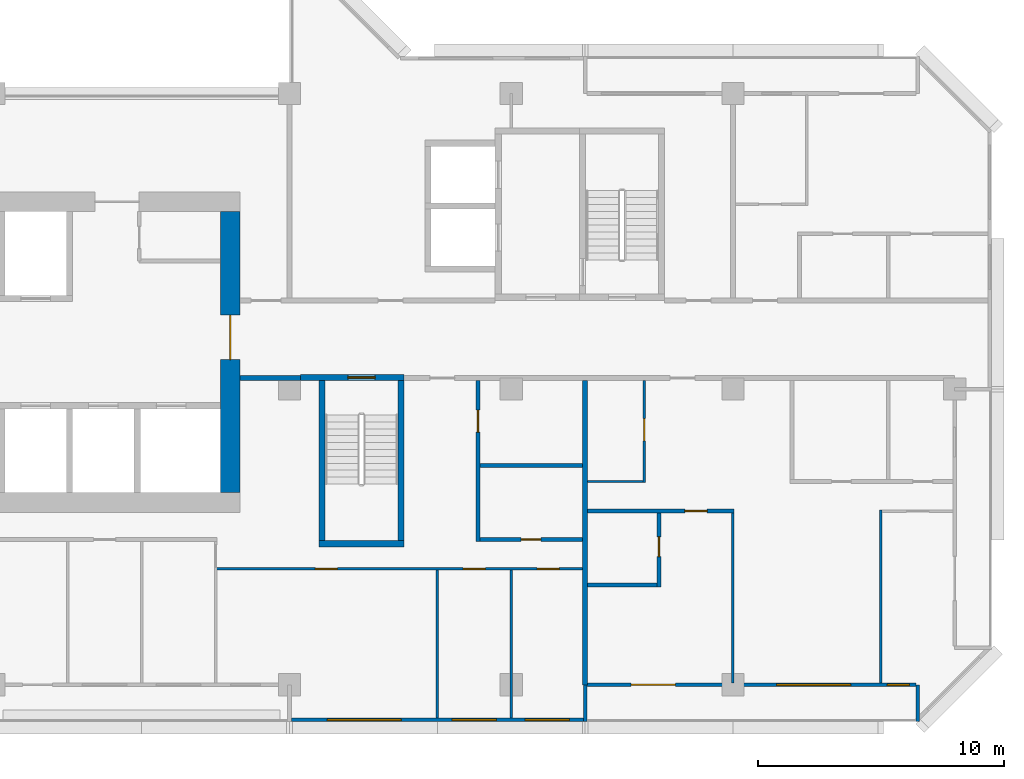
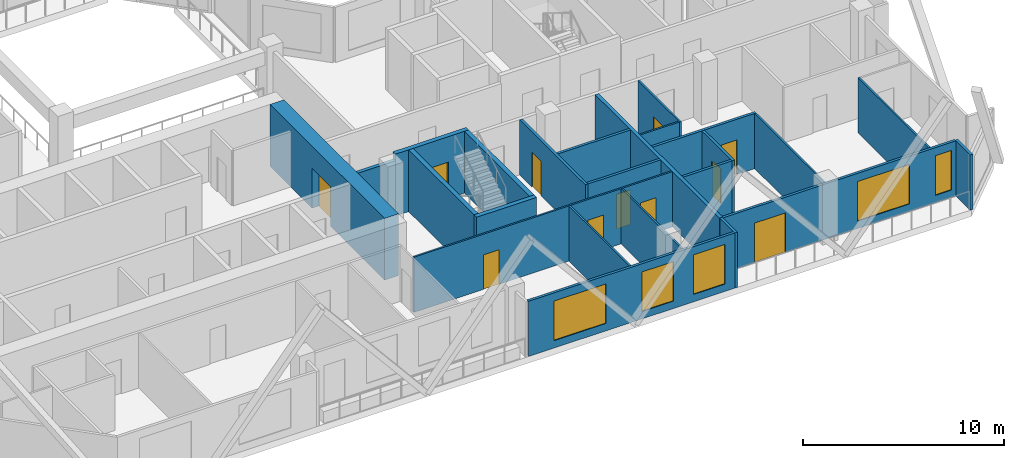
# One storey, part 6 of 15: 24 walls, 11 doors, 5 windows, 16 openings.
"""IFC4 building model written with IfcOpenShell, lengths in metres."""

from ifc_helpers import new_model, si_unit, direction, frame, frame_2d, origin, place, context, subcontext, project, spatial, rectangle, extrude, material, layer, layer_set, type_object, element, fill, save


model = new_model("IFC4")

# Units and contexts
model_context = context("Model", 3, precision=1e-05, world=origin(), true_north=direction((0.0, 1.0)))
body_context = subcontext(model_context, "Body", "Model", "MODEL_VIEW")
ifc_project = project(units=[si_unit("LENGTHUNIT", "METRE"), si_unit("AREAUNIT", "SQUARE_METRE"), si_unit("VOLUMEUNIT", "CUBIC_METRE"), si_unit("PLANEANGLEUNIT", "RADIAN"), si_unit("MASSUNIT", "GRAM", prefix="KILO")], contexts=[model_context])

# Site, building, storey
site_placement = place(None, origin())
site = spatial("IfcSite", under=ifc_project, at=site_placement, CompositionType="ELEMENT")
building_placement = place(site_placement, origin())
building = spatial("IfcBuilding", under=site, at=building_placement, Name="Chenar Terraces", CompositionType="ELEMENT")
storey_placement = place(building_placement, frame((0.0, 0.0, 187.39990234375)))
storey = spatial("IfcBuildingStorey", under=building, at=storey_placement, Name="L43", CompositionType="ELEMENT", Elevation=187.39990234375)

# Wall
ifc_material_1 = material(Name="Concrete C60/75", Category="concrete")
ifc_layer_1 = layer(ifc_material_1, 0.25)
ifc_layer_set_1 = layer_set([ifc_layer_1], Name="Concrete C60/75")
wall_type_1 = type_object("IfcWallType", Name="Core wall 250 Concrete C60/75", PredefinedType="SHEAR", material=ifc_layer_set_1)
wall_1_placement = place(storey_placement, frame((37.199951171875, 5.72509765625, 0.0), z_axis=(0.0, 0.0, 1.0), x_axis=(1.0, 0.0, 0.0)))
element("IfcWall", 1, at=wall_1_placement, inside=storey, type_object=wall_type_1, Name="Core wall ST2_S L43", PredefinedType="SHEAR", context=body_context, shape_type="SweptSolid", body=[
    extrude(rectangle(XDim=3.449951171875, YDim=0.25, at=frame_2d((1.72509765625, 0.0))), origin(), (0.0, 0.0, 1.0), 3.75),
])

# Wall, opening, door
wall_2_placement = place(storey_placement, frame((36.449951171875, 12.47509765625, 0.0), z_axis=(0.0, 0.0, 1.0), x_axis=(1.0, 0.0, 0.0)))
wall_2 = element("IfcWall", 2, at=wall_2_placement, inside=storey, type_object=wall_type_1, Name="Core wall ST2_N L43", PredefinedType="SHEAR", context=body_context, shape_type="SweptSolid", body=[
    extrude(rectangle(XDim=4.199951171875, YDim=0.25, at=frame_2d((2.10009765625, 0.0))), origin(), (0.0, 0.0, 1.0), 3.75),
])
opening_1_placement = place(wall_2_placement, frame((1.925048828125, 0.0, 0.0)))
opening_1 = element("IfcOpeningElement", 3, at=opening_1_placement, cuts=wall_2, Name="Opening DL43-C7", PredefinedType="OPENING", context=body_context, shape_type="SweptSolid", body=[
    extrude(rectangle(XDim=1.10009765625, YDim=2.199951171875, at=frame_2d((0.550048828125, 1.10009765625))), frame((0.0, 0.135009765625, 0.0), z_axis=(0.0, -1.0, 0.0), x_axis=(1.0, 0.0, 0.0)), (0.0, 0.0, 1.0), 0.27001953125),
])
ifc_material_2 = material(Name="Steel-framed fire-resisting door leaf", Category="steel")
door_type_1 = type_object("IfcDoorType", Name="Stair fire door FD60 1100 x 2200", OperationType="SINGLE_SWING_LEFT", PredefinedType="DOOR", material=ifc_material_2)
door_1_placement = place(opening_1_placement, frame((1.10009765625, 0.0, 0.0), z_axis=(0.0, 0.0, 1.0), x_axis=(-1.0, 0.0, 0.0)))
door_1 = element("IfcDoor", 4, at=door_1_placement, inside=storey, type_object=door_type_1, Name="Stair door DL43-C7", OperationType="SINGLE_SWING_RIGHT", OverallHeight=2.199951171875, OverallWidth=1.10009765625, PredefinedType="DOOR", context=body_context, shape_type="SweptSolid", body=[
    extrude(rectangle(XDim=1.10009765625, YDim=2.199951171875, at=frame_2d((0.550048828125, 1.10009765625))), frame((0.0, 0.02490234375, 0.0), z_axis=(0.0, -1.0, 0.0), x_axis=(1.0, 0.0, 0.0)), (0.0, 0.0, 1.0), 0.050048828125),
])
fill(opening_1, door_1)

# Walls
for number, where, z_axis, x_axis, name in (
    (5, (37.324951171875, 5.85009765625, 0.0), (0.0, 0.0, 1.0), (0.0, 1.0, 0.0), "Core wall ST2_W L43"),
    (6, (40.52490234375, 5.85009765625, 0.0), (0.0, 0.0, 1.0), (0.0, 1.0, 0.0), "Core wall ST2_E L43"),
):
    element("IfcWall", number, at=place(storey_placement, frame(where, z_axis=z_axis, x_axis=x_axis)), inside=storey, type_object=wall_type_1, Name=name, PredefinedType="SHEAR", context=body_context, shape_type="SweptSolid", body=[
        extrude(rectangle(XDim=6.5, YDim=0.25, at=frame_2d((3.25, 0.0))), origin(), (0.0, 0.0, 1.0), 3.75),
    ])

# Wall, opening, door
ifc_material_3 = material(Name="Concrete C60/75", Category="concrete")
ifc_layer_2 = layer(ifc_material_3, 0.800048828125)
ifc_layer_set_2 = layer_set([ifc_layer_2], Name="Concrete C60/75")
wall_type_2 = type_object("IfcWallType", Name="Core wall 800 Concrete C60/75", PredefinedType="SHEAR", material=ifc_layer_set_2)
wall_3_placement = place(storey_placement, frame((33.60009765625, 7.800048828125, 0.0), z_axis=(0.0, 0.0, 1.0), x_axis=(0.0, 1.0, 0.0)))
wall_3 = element("IfcWall", 7, at=wall_3_placement, inside=storey, type_object=wall_type_2, Name="Core wall E L43", PredefinedType="SHEAR", context=body_context, shape_type="SweptSolid", body=[
    extrude(rectangle(XDim=11.39990234375, YDim=0.800048828125, at=frame_2d((5.699951171875, 0.0))), origin(), (0.0, 0.0, 1.0), 3.75),
])
opening_2_placement = place(wall_3_placement, frame((5.39990234375, 0.0, 0.0)))
opening_2 = element("IfcOpeningElement", 8, at=opening_2_placement, cuts=wall_3, Name="Opening DL43-C1", PredefinedType="OPENING", context=body_context, shape_type="SweptSolid", body=[
    extrude(rectangle(XDim=1.800048828125, YDim=2.39990234375, at=frame_2d((0.89990234375, 1.199951171875))), frame((0.0, 0.409912109375, 0.0), z_axis=(0.0, -1.0, 0.0), x_axis=(1.0, 0.0, 0.0)), (0.0, 0.0, 1.0), 0.820068359375),
])
ifc_material_4 = material(Name="Steel-framed fire-resisting door leaf", Category="steel")
door_type_2 = type_object("IfcDoorType", Name="Core entrance double fire door FD60 1800 x 2400", OperationType="DOUBLE_DOOR_SINGLE_SWING", PredefinedType="DOOR", material=ifc_material_4)
door_2_placement = place(opening_2_placement, origin())
door_2 = element("IfcDoor", 9, at=door_2_placement, inside=storey, type_object=door_type_2, Name="Core door DL43-C1", OperationType="DOUBLE_DOOR_SINGLE_SWING", OverallHeight=2.39990234375, OverallWidth=1.800048828125, PredefinedType="DOOR", context=body_context, shape_type="SweptSolid", body=[
    extrude(rectangle(XDim=1.800048828125, YDim=2.39990234375, at=frame_2d((0.89990234375, 1.199951171875))), frame((0.0, 0.02490234375, 0.0), z_axis=(0.0, -1.0, 0.0), x_axis=(1.0, 0.0, 0.0)), (0.0, 0.0, 1.0), 0.050048828125),
])
fill(opening_2, door_2)

# Wall
ifc_material_5 = material(Name="Gypsum board on steel studs with fire boards", Category="steel")
ifc_layer_3 = layer(ifc_material_5, 0.199951171875)
ifc_layer_set_3 = layer_set([ifc_layer_3], Name="Gypsum board on steel studs with fire boards")
wall_type_3 = type_object("IfcWallType", Name="Corridor wall 200", PredefinedType="PARTITIONING", material=ifc_layer_set_3)
wall_4_placement = place(storey_placement, frame((34.0, 12.449951171875, 0.0), z_axis=(0.0, 0.0, 1.0), x_axis=(1.0, 0.0, 0.0)))
element("IfcWall", 10, at=wall_4_placement, inside=storey, type_object=wall_type_3, Name="Partition L43-059", PredefinedType="PARTITIONING", context=body_context, shape_type="SweptSolid", body=[
    extrude(rectangle(XDim=2.450927734375, YDim=0.199951171875, at=frame_2d((1.2255859375, 0.0))), origin(), (0.0, 0.0, 1.0), 3.35009765625),
])

# Wall, openings, windows
ifc_material_6 = material(Name="Aluminium framed glazing", Category="aluminium")
ifc_layer_4 = layer(ifc_material_6, 0.14990234375)
ifc_layer_set_4 = layer_set([ifc_layer_4], Name="Aluminium framed glazing")
wall_type_4 = type_object("IfcWallType", Name="Glazed flush facade wall 150", PredefinedType="SOLIDWALL", material=ifc_layer_set_4)
wall_5_placement = place(storey_placement, frame((36.074951171875, -1.425048828125, 0.0), z_axis=(0.0, 0.0, 1.0), x_axis=(1.0, 0.0, 0.0)))
wall_5 = element("IfcWall", 11, at=wall_5_placement, inside=storey, type_object=wall_type_4, Name="Glazed flush facade wall", PredefinedType="SOLIDWALL", context=body_context, shape_type="SweptSolid", body=[
    extrude(rectangle(XDim=11.85009765625, YDim=0.14990234375, at=frame_2d((5.925048828125, 0.0))), origin(), (0.0, 0.0, 1.0), 3.35009765625),
])
opening_3_placement = place(wall_5_placement, frame((1.46240234375, 0.0, 0.449951171875)))
opening_3 = element("IfcOpeningElement", 12, at=opening_3_placement, cuts=wall_5, Name="Opening W300x240", PredefinedType="OPENING", context=body_context, shape_type="SweptSolid", body=[
    extrude(rectangle(XDim=3.0, YDim=2.39990234375, at=frame_2d((1.5, 1.199951171875))), frame((0.0, 0.0849609375, 0.0), z_axis=(0.0, -1.0, 0.0), x_axis=(1.0, 0.0, 0.0)), (0.0, 0.0, 1.0), 0.169921875),
])
opening_4_placement = place(wall_5_placement, frame((6.52490234375, 0.0, 0.449951171875)))
opening_4 = element("IfcOpeningElement", 13, at=opening_4_placement, cuts=wall_5, Name="Opening W180x240", PredefinedType="OPENING", context=body_context, shape_type="SweptSolid", body=[
    extrude(rectangle(XDim=1.800048828125, YDim=2.39990234375, at=frame_2d((0.89990234375, 1.199951171875))), frame((0.0, 0.0849609375, 0.0), z_axis=(0.0, -1.0, 0.0), x_axis=(1.0, 0.0, 0.0)), (0.0, 0.0, 1.0), 0.169921875),
])
opening_5_placement = place(wall_5_placement, frame((9.487548828125, 0.0, 0.449951171875)))
opening_5 = element("IfcOpeningElement", 14, at=opening_5_placement, cuts=wall_5, Name="Opening W180x240", PredefinedType="OPENING", context=body_context, shape_type="SweptSolid", body=[
    extrude(rectangle(XDim=1.800048828125, YDim=2.39990234375, at=frame_2d((0.89990234375, 1.199951171875))), frame((0.0, 0.0849609375, 0.0), z_axis=(0.0, -1.0, 0.0), x_axis=(1.0, 0.0, 0.0)), (0.0, 0.0, 1.0), 0.169921875),
])
ifc_material_7 = material(Name="Low emissivity double glazing, aluminium frame", Category="aluminium")
window_type_1 = type_object("IfcWindowType", Name="Fixed light 1800 x 2400", PartitioningType="SINGLE_PANEL", PredefinedType="WINDOW", material=ifc_material_7)
window_1_placement = place(opening_4_placement, origin())
window_1 = element("IfcWindow", 15, at=window_1_placement, inside=storey, type_object=window_type_1, Name="Window", OverallHeight=2.39990234375, OverallWidth=1.800048828125, PartitioningType="SINGLE_PANEL", PredefinedType="WINDOW", context=body_context, shape_type="SweptSolid", body=[
    extrude(rectangle(XDim=1.800048828125, YDim=2.39990234375, at=frame_2d((0.89990234375, 1.199951171875))), frame((0.0, 0.030029296875, 0.0), z_axis=(0.0, -1.0, 0.0), x_axis=(1.0, 0.0, 0.0)), (0.0, 0.0, 1.0), 0.06005859375),
])
fill(opening_4, window_1)
window_2_placement = place(opening_5_placement, origin())
window_2 = element("IfcWindow", 16, at=window_2_placement, inside=storey, type_object=window_type_1, Name="Window", OverallHeight=2.39990234375, OverallWidth=1.800048828125, PartitioningType="SINGLE_PANEL", PredefinedType="WINDOW", context=body_context, shape_type="SweptSolid", body=[
    extrude(rectangle(XDim=1.800048828125, YDim=2.39990234375, at=frame_2d((0.89990234375, 1.199951171875))), frame((0.0, 0.030029296875, 0.0), z_axis=(0.0, -1.0, 0.0), x_axis=(1.0, 0.0, 0.0)), (0.0, 0.0, 1.0), 0.06005859375),
])
fill(opening_5, window_2)
ifc_material_8 = material(Name="Low emissivity double glazing, aluminium frame", Category="aluminium")
window_type_2 = type_object("IfcWindowType", Name="Fixed light 3000 x 2400", PartitioningType="SINGLE_PANEL", PredefinedType="WINDOW", material=ifc_material_8)
window_3_placement = place(opening_3_placement, origin())
window_3 = element("IfcWindow", 17, at=window_3_placement, inside=storey, type_object=window_type_2, Name="Window", OverallHeight=2.39990234375, OverallWidth=3.0, PartitioningType="SINGLE_PANEL", PredefinedType="WINDOW", context=body_context, shape_type="SweptSolid", body=[
    extrude(rectangle(XDim=3.0, YDim=2.39990234375, at=frame_2d((1.5, 1.199951171875))), frame((0.0, 0.030029296875, 0.0), z_axis=(0.0, -1.0, 0.0), x_axis=(1.0, 0.0, 0.0)), (0.0, 0.0, 1.0), 0.06005859375),
])
fill(opening_3, window_3)

# Wall, openings, windows, door
ifc_material_9 = material(Name="Aluminium framed glazing", Category="aluminium")
ifc_layer_5 = layer(ifc_material_9, 0.14990234375)
ifc_layer_set_5 = layer_set([ifc_layer_5], Name="Aluminium framed glazing")
wall_type_5 = type_object("IfcWallType", Name="Glazed loggia back wall 150", PredefinedType="SOLIDWALL", material=ifc_layer_set_5)
wall_6_placement = place(storey_placement, frame((48.074951171875, 0.0, 0.0), z_axis=(0.0, 0.0, 1.0), x_axis=(1.0, 0.0, 0.0)))
wall_6 = element("IfcWall", 18, at=wall_6_placement, inside=storey, type_object=wall_type_5, Name="Glazed loggia back wall", PredefinedType="SOLIDWALL", context=body_context, shape_type="SweptSolid", body=[
    extrude(rectangle(XDim=13.35009765625, YDim=0.14990234375, at=frame_2d((6.675048828125, 0.0))), origin(), (0.0, 0.0, 1.0), 3.35009765625),
])
opening_6_placement = place(wall_6_placement, frame((1.78759765625, 0.0, 0.0)))
opening_6 = element("IfcOpeningElement", 19, at=opening_6_placement, cuts=wall_6, Name="Opening DL43-G7", PredefinedType="OPENING", context=body_context, shape_type="SweptSolid", body=[
    extrude(rectangle(XDim=1.800048828125, YDim=2.39990234375, at=frame_2d((0.89990234375, 1.199951171875))), frame((0.0, 0.0849609375, 0.0), z_axis=(0.0, -1.0, 0.0), x_axis=(1.0, 0.0, 0.0)), (0.0, 0.0, 1.0), 0.169921875),
])
opening_7_placement = place(wall_6_placement, frame((7.699951171875, 0.0, 0.449951171875)))
opening_7 = element("IfcOpeningElement", 20, at=opening_7_placement, cuts=wall_6, Name="Opening W300x240", PredefinedType="OPENING", context=body_context, shape_type="SweptSolid", body=[
    extrude(rectangle(XDim=3.0, YDim=2.39990234375, at=frame_2d((1.5, 1.199951171875))), frame((0.0, 0.0849609375, 0.0), z_axis=(0.0, -1.0, 0.0), x_axis=(1.0, 0.0, 0.0)), (0.0, 0.0, 1.0), 0.169921875),
])
opening_8_placement = place(wall_6_placement, frame((12.1875, 0.0, 0.449951171875)))
opening_8 = element("IfcOpeningElement", 21, at=opening_8_placement, cuts=wall_6, Name="Opening W90x240", PredefinedType="OPENING", context=body_context, shape_type="SweptSolid", body=[
    extrude(rectangle(XDim=0.89990234375, YDim=2.39990234375, at=frame_2d((0.449951171875, 1.199951171875))), frame((0.0, 0.0849609375, 0.0), z_axis=(0.0, -1.0, 0.0), x_axis=(1.0, 0.0, 0.0)), (0.0, 0.0, 1.0), 0.169921875),
])
window_4_placement = place(opening_7_placement, origin())
window_4 = element("IfcWindow", 22, at=window_4_placement, inside=storey, type_object=window_type_2, Name="Window", OverallHeight=2.39990234375, OverallWidth=3.0, PartitioningType="SINGLE_PANEL", PredefinedType="WINDOW", context=body_context, shape_type="SweptSolid", body=[
    extrude(rectangle(XDim=3.0, YDim=2.39990234375, at=frame_2d((1.5, 1.199951171875))), frame((0.0, 0.030029296875, 0.0), z_axis=(0.0, -1.0, 0.0), x_axis=(1.0, 0.0, 0.0)), (0.0, 0.0, 1.0), 0.06005859375),
])
fill(opening_7, window_4)
ifc_material_10 = material(Name="Low emissivity double glazing, aluminium frame", Category="aluminium")
window_type_3 = type_object("IfcWindowType", Name="Fixed light 900 x 2400", PartitioningType="SINGLE_PANEL", PredefinedType="WINDOW", material=ifc_material_10)
window_5_placement = place(opening_8_placement, origin())
window_5 = element("IfcWindow", 23, at=window_5_placement, inside=storey, type_object=window_type_3, Name="Window", OverallHeight=2.39990234375, OverallWidth=0.89990234375, PartitioningType="SINGLE_PANEL", PredefinedType="WINDOW", context=body_context, shape_type="SweptSolid", body=[
    extrude(rectangle(XDim=0.89990234375, YDim=2.39990234375, at=frame_2d((0.449951171875, 1.199951171875))), frame((0.0, 0.030029296875, 0.0), z_axis=(0.0, -1.0, 0.0), x_axis=(1.0, 0.0, 0.0)), (0.0, 0.0, 1.0), 0.06005859375),
])
fill(opening_8, window_5)
ifc_material_11 = material(Name="Low emissivity double glazing, aluminium frame", Category="aluminium")
door_type_3 = type_object("IfcDoorType", Name="Loggia glazed double door 1800 x 2400", OperationType="DOUBLE_DOOR_SINGLE_SWING", PredefinedType="DOOR", material=ifc_material_11)
door_3_placement = place(opening_6_placement, frame((1.800048828125, 0.0, 0.0), z_axis=(0.0, 0.0, 1.0), x_axis=(-1.0, 0.0, 0.0)))
door_3 = element("IfcDoor", 24, at=door_3_placement, inside=storey, type_object=door_type_3, Name="Loggia glazed door", OperationType="DOUBLE_DOOR_SINGLE_SWING", OverallHeight=2.39990234375, OverallWidth=1.800048828125, PredefinedType="DOOR", context=body_context, shape_type="SweptSolid", body=[
    extrude(rectangle(XDim=1.800048828125, YDim=2.39990234375, at=frame_2d((0.89990234375, 1.199951171875))), frame((0.0, 0.02490234375, 0.0), z_axis=(0.0, -1.0, 0.0), x_axis=(1.0, 0.0, 0.0)), (0.0, 0.0, 1.0), 0.050048828125),
])
fill(opening_6, door_3)

# Wall, openings, doors
ifc_material_12 = material(Name="Gypsum board on steel studs", Category="steel")
ifc_layer_6 = layer(ifc_material_12, 0.10009765625)
ifc_layer_set_6 = layer_set([ifc_layer_6], Name="Gypsum board on steel studs")
wall_type_6 = type_object("IfcWallType", Name="Gypsum partition 100", PredefinedType="PARTITIONING", material=ifc_layer_set_6)
wall_7_placement = place(storey_placement, frame((33.050048828125, 4.699951171875, 0.0), z_axis=(0.0, 0.0, 1.0), x_axis=(1.0, 0.0, 0.0)))
wall_7 = element("IfcWall", 25, at=wall_7_placement, inside=storey, type_object=wall_type_6, Name="Partition L43-058", PredefinedType="PARTITIONING", context=body_context, shape_type="SweptSolid", body=[
    extrude(rectangle(XDim=14.849853515625, YDim=0.10009765625, at=frame_2d((7.4248046875, 0.0))), origin(), (0.0, 0.0, 1.0), 3.35009765625),
])
opening_9_placement = place(wall_7_placement, frame((10.0, 0.0, 0.0)))
opening_9 = element("IfcOpeningElement", 26, at=opening_9_placement, cuts=wall_7, Name="Opening DL43-47", PredefinedType="OPENING", context=body_context, shape_type="SweptSolid", body=[
    extrude(rectangle(XDim=0.89990234375, YDim=2.10009765625, at=frame_2d((0.449951171875, 1.050048828125))), frame((0.0, 0.06005859375, 0.0), z_axis=(0.0, -1.0, 0.0), x_axis=(1.0, 0.0, 0.0)), (0.0, 0.0, 1.0), 0.1201171875),
])
opening_10_placement = place(wall_7_placement, frame((13.0, 0.0, 0.0)))
opening_10 = element("IfcOpeningElement", 27, at=opening_10_placement, cuts=wall_7, Name="Opening DL43-48", PredefinedType="OPENING", context=body_context, shape_type="SweptSolid", body=[
    extrude(rectangle(XDim=0.89990234375, YDim=2.10009765625, at=frame_2d((0.449951171875, 1.050048828125))), frame((0.0, 0.06005859375, 0.0), z_axis=(0.0, -1.0, 0.0), x_axis=(1.0, 0.0, 0.0)), (0.0, 0.0, 1.0), 0.1201171875),
])
opening_11_placement = place(wall_7_placement, frame((4.0, 0.0, 0.0)))
opening_11 = element("IfcOpeningElement", 28, at=opening_11_placement, cuts=wall_7, Name="Opening DL43-56", PredefinedType="OPENING", context=body_context, shape_type="SweptSolid", body=[
    extrude(rectangle(XDim=0.89990234375, YDim=2.10009765625, at=frame_2d((0.449951171875, 1.050048828125))), frame((0.0, 0.06005859375, 0.0), z_axis=(0.0, -1.0, 0.0), x_axis=(1.0, 0.0, 0.0)), (0.0, 0.0, 1.0), 0.1201171875),
])
ifc_material_13 = material(Name="Veneered timber door leaf", Category="wood")
door_type_4 = type_object("IfcDoorType", Name="Door 900 x 2100", OperationType="SINGLE_SWING_LEFT", PredefinedType="DOOR", material=ifc_material_13)
door_4_placement = place(opening_9_placement, frame((0.89990234375, 0.0, 0.0), z_axis=(0.0, 0.0, 1.0), x_axis=(-1.0, 0.0, 0.0)))
door_4 = element("IfcDoor", 29, at=door_4_placement, inside=storey, type_object=door_type_4, Name="Door DL43-47", OperationType="SINGLE_SWING_LEFT", OverallHeight=2.10009765625, OverallWidth=0.89990234375, PredefinedType="DOOR", context=body_context, shape_type="SweptSolid", body=[
    extrude(rectangle(XDim=0.89990234375, YDim=2.10009765625, at=frame_2d((0.449951171875, 1.050048828125))), frame((0.0, 0.02490234375, 0.0), z_axis=(0.0, -1.0, 0.0), x_axis=(1.0, 0.0, 0.0)), (0.0, 0.0, 1.0), 0.050048828125),
])
fill(opening_9, door_4)
door_5_placement = place(opening_10_placement, frame((0.89990234375, 0.0, 0.0), z_axis=(0.0, 0.0, 1.0), x_axis=(-1.0, 0.0, 0.0)))
door_5 = element("IfcDoor", 30, at=door_5_placement, inside=storey, type_object=door_type_4, Name="Door DL43-48", OperationType="SINGLE_SWING_LEFT", OverallHeight=2.10009765625, OverallWidth=0.89990234375, PredefinedType="DOOR", context=body_context, shape_type="SweptSolid", body=[
    extrude(rectangle(XDim=0.89990234375, YDim=2.10009765625, at=frame_2d((0.449951171875, 1.050048828125))), frame((0.0, 0.02490234375, 0.0), z_axis=(0.0, -1.0, 0.0), x_axis=(1.0, 0.0, 0.0)), (0.0, 0.0, 1.0), 0.050048828125),
])
fill(opening_10, door_5)
door_6_placement = place(opening_11_placement, frame((0.89990234375, 0.0, 0.0), z_axis=(0.0, 0.0, 1.0), x_axis=(-1.0, 0.0, 0.0)))
door_6 = element("IfcDoor", 31, at=door_6_placement, inside=storey, type_object=door_type_4, Name="Door DL43-56", OperationType="SINGLE_SWING_LEFT", OverallHeight=2.10009765625, OverallWidth=0.89990234375, PredefinedType="DOOR", context=body_context, shape_type="SweptSolid", body=[
    extrude(rectangle(XDim=0.89990234375, YDim=2.10009765625, at=frame_2d((0.449951171875, 1.050048828125))), frame((0.0, 0.02490234375, 0.0), z_axis=(0.0, -1.0, 0.0), x_axis=(1.0, 0.0, 0.0)), (0.0, 0.0, 1.0), 0.050048828125),
])
fill(opening_11, door_6)

# Walls
wall_8_placement = place(storey_placement, frame((42.0, -1.35009765625, 0.0), z_axis=(0.0, 0.0, 1.0), x_axis=(0.0, 1.0, 0.0)))
element("IfcWall", 32, at=wall_8_placement, inside=storey, type_object=wall_type_6, Name="Partition L43-063", PredefinedType="PARTITIONING", context=body_context, shape_type="SweptSolid", body=[
    extrude(rectangle(XDim=6.0, YDim=0.10009765625, at=frame_2d((3.0, 0.0))), origin(), (0.0, 0.0, 1.0), 3.35009765625),
])
wall_9_placement = place(storey_placement, frame((45.0, -1.35107421875, 0.0), z_axis=(0.0, 0.0, 1.0), x_axis=(0.0, 1.0, 0.0)))
element("IfcWall", 33, at=wall_9_placement, inside=storey, type_object=wall_type_6, Name="Partition L43-067", PredefinedType="PARTITIONING", context=body_context, shape_type="SweptSolid", body=[
    extrude(rectangle(XDim=6.0009765625, YDim=0.10009765625, at=frame_2d((3.00048828125, 0.0))), origin(), (0.0, 0.0, 1.0), 3.35009765625),
])
wall_10_placement = place(storey_placement, frame((48.10009765625, 8.25, 0.0), z_axis=(0.0, 0.0, 1.0), x_axis=(1.0, 0.0, 0.0)))
element("IfcWall", 34, at=wall_10_placement, inside=storey, type_object=wall_type_6, Name="Partition L43-072", PredefinedType="PARTITIONING", context=body_context, shape_type="SweptSolid", body=[
    extrude(rectangle(XDim=2.25, YDim=0.10009765625, at=frame_2d((1.125, 0.0))), origin(), (0.0, 0.0, 1.0), 3.35009765625),
])

# Wall, opening, door
wall_11_placement = place(storey_placement, frame((50.39990234375, 8.199951171875, 0.0), z_axis=(0.0, 0.0, 1.0), x_axis=(0.0, 1.0, 0.0)))
wall_11 = element("IfcWall", 35, at=wall_11_placement, inside=storey, type_object=wall_type_6, Name="Partition L43-073", PredefinedType="PARTITIONING", context=body_context, shape_type="SweptSolid", body=[
    extrude(rectangle(XDim=4.150146484375, YDim=0.10009765625, at=frame_2d((2.0751953125, 0.0))), origin(), (0.0, 0.0, 1.0), 3.35009765625),
])
opening_12_placement = place(wall_11_placement, frame((1.699951171875, 0.0, 0.0)))
opening_12 = element("IfcOpeningElement", 36, at=opening_12_placement, cuts=wall_11, Name="Opening DL43-12", PredefinedType="OPENING", context=body_context, shape_type="SweptSolid", body=[
    extrude(rectangle(XDim=0.89990234375, YDim=2.10009765625, at=frame_2d((0.449951171875, 1.050048828125))), frame((0.0, 0.06005859375, 0.0), z_axis=(0.0, -1.0, 0.0), x_axis=(1.0, 0.0, 0.0)), (0.0, 0.0, 1.0), 0.1201171875),
])
door_7_placement = place(opening_12_placement, origin())
door_7 = element("IfcDoor", 37, at=door_7_placement, inside=storey, type_object=door_type_4, Name="Door DL43-12", OperationType="SINGLE_SWING_LEFT", OverallHeight=2.10009765625, OverallWidth=0.89990234375, PredefinedType="DOOR", context=body_context, shape_type="SweptSolid", body=[
    extrude(rectangle(XDim=0.89990234375, YDim=2.10009765625, at=frame_2d((0.449951171875, 1.050048828125))), frame((0.0, 0.02490234375, 0.0), z_axis=(0.0, -1.0, 0.0), x_axis=(1.0, 0.0, 0.0)), (0.0, 0.0, 1.0), 0.050048828125),
])
fill(opening_12, door_7)

# Walls
wall_12_placement = place(storey_placement, frame((54.0, 0.073974609375, 0.0), z_axis=(0.0, 0.0, 1.0), x_axis=(0.0, 1.0, 0.0)))
element("IfcWall", 38, at=wall_12_placement, inside=storey, type_object=wall_type_6, Name="Partition L43-076", PredefinedType="PARTITIONING", context=body_context, shape_type="SweptSolid", body=[
    extrude(rectangle(XDim=6.901123046875, YDim=0.10009765625, at=frame_2d((3.45068359375, 0.0))), origin(), (0.0, 0.0, 1.0), 3.35009765625),
])
wall_13_placement = place(storey_placement, frame((60.0, 0.073974609375, 0.0), z_axis=(0.0, 0.0, 1.0), x_axis=(0.0, 1.0, 0.0)))
element("IfcWall", 39, at=wall_13_placement, inside=storey, type_object=wall_type_6, Name="Partition L43-084", PredefinedType="PARTITIONING", context=body_context, shape_type="SweptSolid", body=[
    extrude(rectangle(XDim=7.026123046875, YDim=0.10009765625, at=frame_2d((3.51318359375, 0.0))), origin(), (0.0, 0.0, 1.0), 3.35009765625),
])
ifc_material_14 = material(Name="Terracotta cladding on insulated backing", Category="masonry")
ifc_layer_7 = layer(ifc_material_14, 0.14990234375)
ifc_layer_set_7 = layer_set([ifc_layer_7], Name="Terracotta cladding on insulated backing")
wall_type_7 = type_object("IfcWallType", Name="Loggia return wall 150", PredefinedType="SOLIDWALL", material=ifc_layer_set_7)
for number, where, z_axis, x_axis, name in (
    (40, (48.0, -1.5, 0.0), (0.0, 0.0, 1.0), (0.0, 1.0, 0.0), "Loggia return wall"),
    (41, (61.5, -1.5, 0.0), (0.0, 0.0, 1.0), (0.0, 1.0, 0.0), "Loggia return wall"),
):
    element("IfcWall", number, at=place(storey_placement, frame(where, z_axis=z_axis, x_axis=x_axis)), inside=storey, type_object=wall_type_7, Name=name, PredefinedType="SOLIDWALL", context=body_context, shape_type="SweptSolid", body=[
        extrude(rectangle(XDim=1.5, YDim=0.14990234375, at=frame_2d((0.75, 0.0))), origin(), (0.0, 0.0, 1.0), 3.35009765625),
    ])
ifc_material_15 = material(Name="Twin gypsum board on steel studs with mineral wool", Category="steel")
ifc_layer_8 = layer(ifc_material_15, 0.199951171875)
ifc_layer_set_8 = layer_set([ifc_layer_8], Name="Twin gypsum board on steel studs with mineral wool")
wall_type_8 = type_object("IfcWallType", Name="Unit demising wall 200", PredefinedType="PARTITIONING", material=ifc_layer_set_8)
wall_14_placement = place(storey_placement, frame((48.0, 0.0, 0.0), z_axis=(0.0, 0.0, 1.0), x_axis=(0.0, 1.0, 0.0)))
element("IfcWall", 42, at=wall_14_placement, inside=storey, type_object=wall_type_8, Name="Partition L43-069", PredefinedType="PARTITIONING", context=body_context, shape_type="SweptSolid", body=[
    extrude(rectangle(XDim=12.35009765625, YDim=0.199951171875, at=frame_2d((6.175048828125, 0.0))), origin(), (0.0, 0.0, 1.0), 3.35009765625),
])

# Wall, opening, door
ifc_material_16 = material(Name="Moisture-resistant gypsum board on steel studs", Category="steel")
ifc_layer_9 = layer(ifc_material_16, 0.14990234375)
ifc_layer_set_9 = layer_set([ifc_layer_9], Name="Moisture-resistant gypsum board on steel studs")
wall_type_9 = type_object("IfcWallType", Name="Wet-room partition 150", PredefinedType="PARTITIONING", material=ifc_layer_set_9)
wall_15_placement = place(storey_placement, frame((43.64990234375, 5.824951171875, 0.0), z_axis=(0.0, 0.0, 1.0), x_axis=(0.0, 1.0, 0.0)))
wall_15 = element("IfcWall", 43, at=wall_15_placement, inside=storey, type_object=wall_type_9, Name="Partition L43-064", PredefinedType="PARTITIONING", context=body_context, shape_type="SweptSolid", body=[
    extrude(rectangle(XDim=6.525146484375, YDim=0.14990234375, at=frame_2d((3.2626953125, 0.0))), origin(), (0.0, 0.0, 1.0), 3.35009765625),
])
opening_13_placement = place(wall_15_placement, frame((4.425048828125, 0.0, 0.0)))
opening_13 = element("IfcOpeningElement", 44, at=opening_13_placement, cuts=wall_15, Name="Opening DL43-54", PredefinedType="OPENING", context=body_context, shape_type="SweptSolid", body=[
    extrude(rectangle(XDim=0.89990234375, YDim=2.10009765625, at=frame_2d((0.449951171875, 1.050048828125))), frame((0.0, 0.0849609375, 0.0), z_axis=(0.0, -1.0, 0.0), x_axis=(1.0, 0.0, 0.0)), (0.0, 0.0, 1.0), 0.169921875),
])
door_8_placement = place(opening_13_placement, frame((0.89990234375, 0.0, 0.0), z_axis=(0.0, 0.0, 1.0), x_axis=(-1.0, 0.0, 0.0)))
door_8 = element("IfcDoor", 45, at=door_8_placement, inside=storey, type_object=door_type_4, Name="Door DL43-54", OperationType="SINGLE_SWING_LEFT", OverallHeight=2.10009765625, OverallWidth=0.89990234375, PredefinedType="DOOR", context=body_context, shape_type="SweptSolid", body=[
    extrude(rectangle(XDim=0.89990234375, YDim=2.10009765625, at=frame_2d((0.449951171875, 1.050048828125))), frame((0.0, 0.02490234375, 0.0), z_axis=(0.0, -1.0, 0.0), x_axis=(1.0, 0.0, 0.0)), (0.0, 0.0, 1.0), 0.050048828125),
])
fill(opening_13, door_8)

wall_16_placement = place(storey_placement, frame((43.72509765625, 5.89990234375, 0.0), z_axis=(0.0, 0.0, 1.0), x_axis=(1.0, 0.0, 0.0)))
wall_16 = element("IfcWall", 46, at=wall_16_placement, inside=storey, type_object=wall_type_9, Name="Partition L43-065", PredefinedType="PARTITIONING", context=body_context, shape_type="SweptSolid", body=[
    extrude(rectangle(XDim=4.1748046875, YDim=0.14990234375, at=frame_2d((2.08740234375, 0.0))), origin(), (0.0, 0.0, 1.0), 3.35009765625),
])
opening_14_placement = place(wall_16_placement, frame((1.675048828125, 0.0, 0.0)))
opening_14 = element("IfcOpeningElement", 47, at=opening_14_placement, cuts=wall_16, Name="Opening DL43-44", PredefinedType="OPENING", context=body_context, shape_type="SweptSolid", body=[
    extrude(rectangle(XDim=0.800048828125, YDim=2.10009765625, at=frame_2d((0.39990234375, 1.050048828125))), frame((0.0, 0.0849609375, 0.0), z_axis=(0.0, -1.0, 0.0), x_axis=(1.0, 0.0, 0.0)), (0.0, 0.0, 1.0), 0.169921875),
])
ifc_material_17 = material(Name="Veneered timber door leaf", Category="wood")
door_type_5 = type_object("IfcDoorType", Name="Door 800 x 2100", OperationType="SINGLE_SWING_LEFT", PredefinedType="DOOR", material=ifc_material_17)
door_9_placement = place(opening_14_placement, origin())
door_9 = element("IfcDoor", 48, at=door_9_placement, inside=storey, type_object=door_type_5, Name="Door DL43-44", OperationType="SINGLE_SWING_LEFT", OverallHeight=2.10009765625, OverallWidth=0.800048828125, PredefinedType="DOOR", context=body_context, shape_type="SweptSolid", body=[
    extrude(rectangle(XDim=0.800048828125, YDim=2.10009765625, at=frame_2d((0.39990234375, 1.050048828125))), frame((0.0, 0.02490234375, 0.0), z_axis=(0.0, -1.0, 0.0), x_axis=(1.0, 0.0, 0.0)), (0.0, 0.0, 1.0), 0.050048828125),
])
fill(opening_14, door_9)

# Walls
wall_17_placement = place(storey_placement, frame((43.72509765625, 8.89990234375, 0.0), z_axis=(0.0, 0.0, 1.0), x_axis=(1.0, 0.0, 0.0)))
element("IfcWall", 49, at=wall_17_placement, inside=storey, type_object=wall_type_9, Name="Partition L43-066", PredefinedType="PARTITIONING", context=body_context, shape_type="SweptSolid", body=[
    extrude(rectangle(XDim=4.1748046875, YDim=0.14990234375, at=frame_2d((2.08740234375, 0.0))), origin(), (0.0, 0.0, 1.0), 3.35009765625),
])
wall_18_placement = place(storey_placement, frame((48.10009765625, 4.050048828125, 0.0), z_axis=(0.0, 0.0, 1.0), x_axis=(1.0, 0.0, 0.0)))
element("IfcWall", 50, at=wall_18_placement, inside=storey, type_object=wall_type_9, Name="Partition L43-070", PredefinedType="PARTITIONING", context=body_context, shape_type="SweptSolid", body=[
    extrude(rectangle(XDim=2.824951171875, YDim=0.14990234375, at=frame_2d((1.41259765625, 0.0))), origin(), (0.0, 0.0, 1.0), 3.35009765625),
])

# Wall, opening, door
wall_19_placement = place(storey_placement, frame((48.10009765625, 7.050048828125, 0.0), z_axis=(0.0, 0.0, 1.0), x_axis=(1.0, 0.0, 0.0)))
wall_19 = element("IfcWall", 51, at=wall_19_placement, inside=storey, type_object=wall_type_9, Name="Partition L43-071", PredefinedType="PARTITIONING", context=body_context, shape_type="SweptSolid", body=[
    extrude(rectangle(XDim=5.949951171875, YDim=0.14990234375, at=frame_2d((2.97509765625, 0.0))), origin(), (0.0, 0.0, 1.0), 3.35009765625),
])
opening_15_placement = place(wall_19_placement, frame((3.949951171875, 0.0, 0.0)))
opening_15 = element("IfcOpeningElement", 52, at=opening_15_placement, cuts=wall_19, Name="Opening DL43-10", PredefinedType="OPENING", context=body_context, shape_type="SweptSolid", body=[
    extrude(rectangle(XDim=0.89990234375, YDim=2.10009765625, at=frame_2d((0.449951171875, 1.050048828125))), frame((0.0, 0.0849609375, 0.0), z_axis=(0.0, -1.0, 0.0), x_axis=(1.0, 0.0, 0.0)), (0.0, 0.0, 1.0), 0.169921875),
])
door_10_placement = place(opening_15_placement, frame((0.89990234375, 0.0, 0.0), z_axis=(0.0, 0.0, 1.0), x_axis=(-1.0, 0.0, 0.0)))
door_10 = element("IfcDoor", 53, at=door_10_placement, inside=storey, type_object=door_type_4, Name="Door DL43-10", OperationType="SINGLE_SWING_LEFT", OverallHeight=2.10009765625, OverallWidth=0.89990234375, PredefinedType="DOOR", context=body_context, shape_type="SweptSolid", body=[
    extrude(rectangle(XDim=0.89990234375, YDim=2.10009765625, at=frame_2d((0.449951171875, 1.050048828125))), frame((0.0, 0.02490234375, 0.0), z_axis=(0.0, -1.0, 0.0), x_axis=(1.0, 0.0, 0.0)), (0.0, 0.0, 1.0), 0.050048828125),
])
fill(opening_15, door_10)

wall_20_placement = place(storey_placement, frame((51.0, 3.97509765625, 0.0), z_axis=(0.0, 0.0, 1.0), x_axis=(0.0, 1.0, 0.0)))
wall_20 = element("IfcWall", 54, at=wall_20_placement, inside=storey, type_object=wall_type_9, Name="Partition L43-074", PredefinedType="PARTITIONING", context=body_context, shape_type="SweptSolid", body=[
    extrude(rectangle(XDim=3.0, YDim=0.14990234375, at=frame_2d((1.5, 0.0))), origin(), (0.0, 0.0, 1.0), 3.35009765625),
])
opening_16_placement = place(wall_20_placement, frame((1.22509765625, 0.0, 0.0)))
opening_16 = element("IfcOpeningElement", 55, at=opening_16_placement, cuts=wall_20, Name="Opening DL43-11", PredefinedType="OPENING", context=body_context, shape_type="SweptSolid", body=[
    extrude(rectangle(XDim=0.800048828125, YDim=2.10009765625, at=frame_2d((0.39990234375, 1.050048828125))), frame((0.0, 0.0849609375, 0.0), z_axis=(0.0, -1.0, 0.0), x_axis=(1.0, 0.0, 0.0)), (0.0, 0.0, 1.0), 0.169921875),
])
door_11_placement = place(opening_16_placement, origin())
door_11 = element("IfcDoor", 56, at=door_11_placement, inside=storey, type_object=door_type_5, Name="Door DL43-11", OperationType="SINGLE_SWING_RIGHT", OverallHeight=2.10009765625, OverallWidth=0.800048828125, PredefinedType="DOOR", context=body_context, shape_type="SweptSolid", body=[
    extrude(rectangle(XDim=0.800048828125, YDim=2.10009765625, at=frame_2d((0.39990234375, 1.050048828125))), frame((0.0, 0.02490234375, 0.0), z_axis=(0.0, -1.0, 0.0), x_axis=(1.0, 0.0, 0.0)), (0.0, 0.0, 1.0), 0.050048828125),
])
fill(opening_16, door_11)

save(model, "model.ifc")
